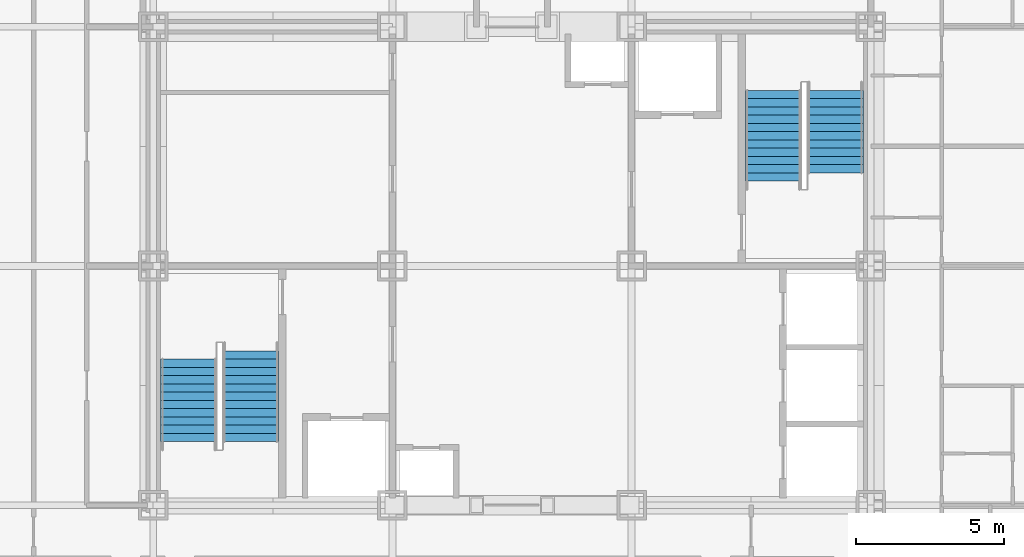
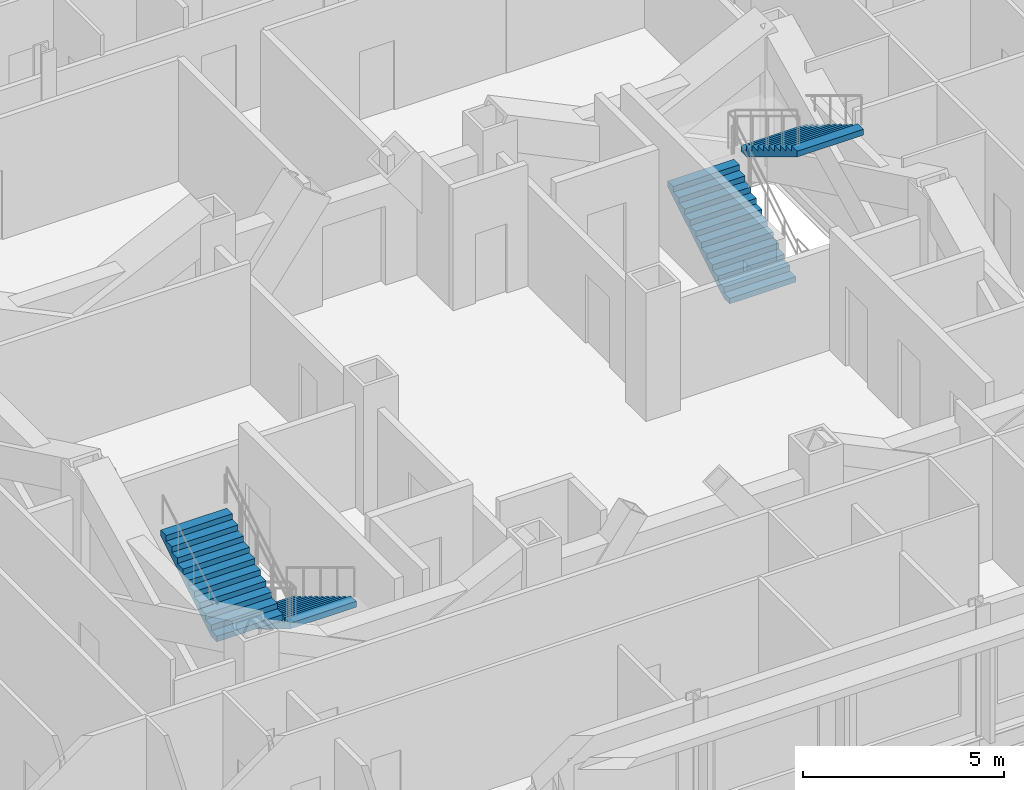
# One storey, part 14 of 15: 4 stair flights, 2 elements without a shape of their own.
"""IFC4 building model written with IfcOpenShell, lengths in metres."""

from ifc_helpers import new_model, si_unit, direction, frame, origin, place, context, subcontext, project, spatial, polygons, source, transform, mapped, material, type_object, element, aggregate, save


model = new_model("IFC4")

# Units and contexts
model_context = context("Model", 3, precision=1e-05, world=origin(), true_north=direction((0.0, 1.0)))
body_context = subcontext(model_context, "Body", "Model", "MODEL_VIEW")
ifc_project = project(units=[si_unit("LENGTHUNIT", "METRE"), si_unit("AREAUNIT", "SQUARE_METRE"), si_unit("VOLUMEUNIT", "CUBIC_METRE"), si_unit("PLANEANGLEUNIT", "RADIAN"), si_unit("MASSUNIT", "GRAM", prefix="KILO")], contexts=[model_context])

# Site, building, storey
site_placement = place(None, origin())
site = spatial("IfcSite", under=ifc_project, at=site_placement, CompositionType="ELEMENT")
building_placement = place(site_placement, origin())
building = spatial("IfcBuilding", under=site, at=building_placement, Name="Kopane Lantern Tower", CompositionType="ELEMENT")
storey_placement = place(building_placement, frame((0.0, 0.0, 289.199951171875)))
storey = spatial("IfcBuildingStorey", under=building, at=storey_placement, Name="L74", CompositionType="ELEMENT", Elevation=289.199951171875)

# Stair, stair flight
ifc_material_1 = material(Name="Steel S355JR", Category="steel")
stair_type = type_object("IfcStairType", Name="EXIT STAIR 1900 HALF TURN", PredefinedType="HALF_TURN_STAIR", material=ifc_material_1)
stair_1_placement = place(storey_placement, origin())
stair_1 = element("IfcStair", 1, at=stair_1_placement, inside=storey, type_object=stair_type, Name="Exit stair ST1 L74", PredefinedType="HALF_TURN_STAIR")
ifc_material_2 = material(Name="Steel S355JR", Category="steel")
stair_flight_type = type_object("IfcStairFlightType", Name="STAIR FLIGHT 1900 STEEL", PredefinedType="STRAIGHT", material=ifc_material_2)
shared_shape_1 = source(origin(), body_context, "Body", "Tessellation", [
    polygons([(3.080078125, 0.949951172, 1.865234375), (2.800048828, 0.949951172, 1.865234375), (2.800048828, -0.949951172, 1.865234375), (3.080078125, -0.949951172, 1.865234375), (0.289306641, 0.949951172, 0.0), (3.080078125, 0.949951172, 1.689941406), (3.080078125, -0.949951172, 1.689941406), (0.289306641, -0.949951172, 0.0), (0.0, 0.949951172, 0.0), (0.0, -0.949951172, 0.0), (0.280029297, 0.949951172, 0.169677734), (0.0, 0.949951172, 0.169677734), (0.0, -0.949951172, 0.169677734), (0.280029297, -0.949951172, 0.169677734), (0.280029297, 0.949951172, 0.339111328), (0.280029297, -0.949951172, 0.339111328), (0.560058594, 0.949951172, 0.339111328), (0.560058594, -0.949951172, 0.339111328), (0.560058594, 0.949951172, 0.508789062), (0.560058594, -0.949951172, 0.508789062), (0.840087891, 0.949951172, 0.508789062), (0.840087891, -0.949951172, 0.508789062), (0.840087891, 0.949951172, 0.678222656), (0.840087891, -0.949951172, 0.678222656), (1.120117188, 0.949951172, 0.678222656), (1.120117188, -0.949951172, 0.678222656), (1.120117188, 0.949951172, 0.847900391), (1.120117188, -0.949951172, 0.847900391), (1.399902344, 0.949951172, 0.847900391), (1.399902344, -0.949951172, 0.847900391), (1.399902344, 0.949951172, 1.017333984), (1.399902344, -0.949951172, 1.017333984), (1.679931641, 0.949951172, 1.017333984), (1.679931641, -0.949951172, 1.017333984), (1.679931641, 0.949951172, 1.187011719), (1.679931641, -0.949951172, 1.187011719), (1.959960938, 0.949951172, 1.187011719), (1.959960938, -0.949951172, 1.187011719), (1.959960938, 0.949951172, 1.356445312), (1.959960938, -0.949951172, 1.356445312), (2.239990234, 0.949951172, 1.356445312), (2.239990234, -0.949951172, 1.356445312), (2.239990234, 0.949951172, 1.526123047), (2.239990234, -0.949951172, 1.526123047), (2.520019531, 0.949951172, 1.526123047), (2.520019531, -0.949951172, 1.526123047), (2.520019531, 0.949951172, 1.695556641), (2.520019531, -0.949951172, 1.695556641), (2.800048828, 0.949951172, 1.695556641), (2.800048828, -0.949951172, 1.695556641), (0.0, 0.0, 0.004585885), (0.0, 0.0, 0.009171769), (0.0, 0.0, 0.013757654), (0.0, 0.0, 0.018343539), (0.0, 0.0, 0.022929424), (0.0, 0.0, 0.027515308), (0.0, 0.0, 0.032101193), (0.0, 0.0, 0.036687078), (0.0, 0.0, 0.041272962), (0.0, 0.0, 0.045858847), (0.0, 0.0, 0.050444732), (0.0, 0.0, 0.055030617), (0.0, 0.0, 0.059616501), (0.0, 0.0, 0.064202386), (0.0, 0.0, 0.068788271), (0.0, 0.0, 0.073374155), (0.0, 0.0, 0.07796004), (0.0, 0.0, 0.082545925), (0.0, 0.0, 0.08713181), (0.0, 0.0, 0.091717694), (0.0, 0.0, 0.096303579), (0.0, 0.0, 0.100889464), (0.0, 0.0, 0.105475348), (0.0, 0.0, 0.110061233), (0.0, 0.0, 0.114647118), (0.0, 0.0, 0.119233003), (0.0, 0.0, 0.123818887), (0.0, 0.0, 0.128404772), (0.0, 0.0, 0.132990657), (0.0, 0.0, 0.137576541), (0.0, 0.0, 0.142162426), (0.0, 0.0, 0.146748311), (0.0, 0.0, 0.151334196), (0.0, 0.0, 0.15592008), (0.0, 0.0, 0.160505965), (0.0, 0.0, 0.16509185), (3.080078125, 0.0, 1.694679054), (3.080078125, 0.0, 1.699416702), (3.080078125, 0.0, 1.70415435), (3.080078125, 0.0, 1.708891997), (3.080078125, 0.0, 1.713629645), (3.080078125, 0.0, 1.718367293), (3.080078125, 0.0, 1.723104941), (3.080078125, 0.0, 1.727842589), (3.080078125, 0.0, 1.732580236), (3.080078125, 0.0, 1.737317884), (3.080078125, 0.0, 1.742055532), (3.080078125, 0.0, 1.74679318), (3.080078125, 0.0, 1.751530828), (3.080078125, 0.0, 1.756268476), (3.080078125, 0.0, 1.761006123), (3.080078125, 0.0, 1.765743771), (3.080078125, 0.0, 1.770481419), (3.080078125, 0.0, 1.775219067), (3.080078125, 0.0, 1.779956715), (3.080078125, 0.0, 1.784694362), (3.080078125, 0.0, 1.78943201), (3.080078125, 0.0, 1.794169658), (3.080078125, 0.0, 1.798907306), (3.080078125, 0.0, 1.803644954), (3.080078125, 0.0, 1.808382601), (3.080078125, 0.0, 1.813120249), (3.080078125, 0.0, 1.817857897), (3.080078125, 0.0, 1.822595545), (3.080078125, 0.0, 1.827333193), (3.080078125, 0.0, 1.83207084), (3.080078125, 0.0, 1.836808488), (3.080078125, 0.0, 1.841546136), (3.080078125, 0.0, 1.846283784), (3.080078125, 0.0, 1.851021432), (3.080078125, 0.0, 1.855759079), (3.080078125, 0.0, 1.860496727)], [[[1, 2, 3]], [[1, 3, 4]], [[5, 6, 7]], [[5, 7, 8]], [[9, 5, 8]], [[9, 8, 10]], [[11, 12, 13]], [[11, 13, 14]], [[15, 11, 14]], [[15, 14, 16]], [[17, 15, 16]], [[17, 16, 18]], [[19, 17, 18]], [[19, 18, 20]], [[21, 19, 20]], [[21, 20, 22]], [[23, 21, 22]], [[23, 22, 24]], [[25, 23, 24]], [[25, 24, 26]], [[27, 25, 26]], [[27, 26, 28]], [[29, 27, 28]], [[29, 28, 30]], [[31, 29, 30]], [[31, 30, 32]], [[33, 31, 32]], [[33, 32, 34]], [[35, 33, 34]], [[35, 34, 36]], [[37, 35, 36]], [[37, 36, 38]], [[39, 37, 38]], [[39, 38, 40]], [[41, 39, 40]], [[41, 40, 42]], [[43, 41, 42]], [[43, 42, 44]], [[45, 43, 44]], [[45, 44, 46]], [[47, 45, 46]], [[47, 46, 48]], [[49, 47, 48]], [[49, 48, 50]], [[2, 49, 50]], [[2, 50, 3]], [[49, 1, 6]], [[45, 49, 6]], [[2, 1, 49]], [[41, 45, 6]], [[47, 49, 45]], [[37, 41, 6]], [[43, 45, 41]], [[39, 41, 37]], [[35, 37, 33]], [[31, 33, 29]], [[5, 21, 25]], [[27, 29, 25]], [[17, 21, 5]], [[23, 25, 21]], [[11, 17, 5]], [[19, 21, 17]], [[9, 11, 5]], [[15, 17, 11]], [[12, 11, 9]], [[6, 5, 25]], [[6, 25, 29]], [[6, 29, 33]], [[6, 33, 37]], [[7, 4, 50]], [[7, 50, 46]], [[50, 4, 3]], [[7, 46, 42]], [[46, 50, 48]], [[7, 42, 38]], [[42, 46, 44]], [[38, 42, 40]], [[34, 38, 36]], [[30, 34, 32]], [[26, 22, 8]], [[26, 30, 28]], [[8, 22, 18]], [[22, 26, 24]], [[8, 18, 14]], [[18, 22, 20]], [[8, 14, 10]], [[14, 18, 16]], [[10, 14, 13]], [[26, 8, 7]], [[30, 26, 7]], [[34, 30, 7]], [[38, 34, 7]], [[10, 51, 9]], [[10, 52, 51]], [[9, 51, 52]], [[10, 53, 52]], [[9, 52, 53]], [[10, 54, 53]], [[9, 53, 54]], [[10, 55, 54]], [[9, 54, 55]], [[10, 56, 55]], [[9, 55, 56]], [[10, 57, 56]], [[9, 56, 57]], [[10, 58, 57]], [[9, 57, 58]], [[10, 59, 58]], [[9, 58, 59]], [[10, 60, 59]], [[9, 59, 60]], [[10, 61, 60]], [[9, 60, 61]], [[10, 62, 61]], [[9, 61, 62]], [[10, 63, 62]], [[9, 62, 63]], [[10, 64, 63]], [[9, 63, 64]], [[10, 65, 64]], [[9, 64, 65]], [[10, 66, 65]], [[9, 65, 66]], [[10, 67, 66]], [[9, 66, 67]], [[10, 68, 67]], [[9, 67, 68]], [[10, 69, 68]], [[9, 68, 69]], [[10, 70, 69]], [[9, 69, 70]], [[10, 71, 70]], [[9, 70, 71]], [[10, 72, 71]], [[9, 71, 72]], [[10, 73, 72]], [[9, 72, 73]], [[10, 74, 73]], [[9, 73, 74]], [[10, 75, 74]], [[9, 74, 75]], [[10, 76, 75]], [[9, 75, 76]], [[10, 77, 76]], [[9, 76, 77]], [[10, 78, 77]], [[9, 77, 78]], [[10, 79, 78]], [[9, 78, 79]], [[10, 80, 79]], [[9, 79, 80]], [[10, 81, 80]], [[9, 80, 81]], [[10, 82, 81]], [[9, 81, 82]], [[10, 83, 82]], [[9, 82, 83]], [[10, 84, 83]], [[9, 83, 84]], [[10, 85, 84]], [[9, 84, 85]], [[10, 86, 85]], [[9, 85, 86]], [[10, 13, 86]], [[86, 13, 12]], [[9, 86, 12]], [[7, 6, 87]], [[7, 87, 88]], [[6, 88, 87]], [[7, 88, 89]], [[6, 89, 88]], [[7, 89, 90]], [[6, 90, 89]], [[7, 90, 91]], [[6, 91, 90]], [[7, 91, 92]], [[6, 92, 91]], [[7, 92, 93]], [[6, 93, 92]], [[7, 93, 94]], [[6, 94, 93]], [[7, 94, 95]], [[6, 95, 94]], [[7, 95, 96]], [[6, 96, 95]], [[7, 96, 97]], [[6, 97, 96]], [[7, 97, 98]], [[6, 98, 97]], [[7, 98, 99]], [[6, 99, 98]], [[7, 99, 100]], [[6, 100, 99]], [[7, 100, 101]], [[6, 101, 100]], [[7, 101, 102]], [[6, 102, 101]], [[7, 102, 103]], [[6, 103, 102]], [[7, 103, 104]], [[6, 104, 103]], [[7, 104, 105]], [[6, 105, 104]], [[7, 105, 106]], [[6, 106, 105]], [[7, 106, 107]], [[6, 107, 106]], [[7, 107, 108]], [[6, 108, 107]], [[7, 108, 109]], [[6, 109, 108]], [[7, 109, 110]], [[6, 110, 109]], [[7, 110, 111]], [[6, 111, 110]], [[7, 111, 112]], [[6, 112, 111]], [[7, 112, 113]], [[6, 113, 112]], [[7, 113, 114]], [[6, 114, 113]], [[7, 114, 115]], [[6, 115, 114]], [[7, 115, 116]], [[6, 116, 115]], [[7, 116, 117]], [[6, 117, 116]], [[7, 117, 118]], [[6, 118, 117]], [[7, 118, 119]], [[6, 119, 118]], [[7, 119, 120]], [[6, 120, 119]], [[7, 120, 121]], [[6, 121, 120]], [[7, 121, 122]], [[6, 122, 121]], [[7, 122, 4]], [[122, 1, 4]], [[6, 1, 122]]], closed=True),
])
stair_flight_1_placement = place(storey_placement, frame((19.5, 29.530029296875, 0.0), z_axis=(0.0, 0.0, 1.0), x_axis=(0.0, -1.0, 0.0)))
stair_flight_1 = element("IfcStairFlight", 2, at=stair_flight_1_placement, type_object=stair_flight_type, Name="ST1 flight 1", NumberOfRisers=12, NumberOfTreads=11, PredefinedType="STRAIGHT", RiserHeight=0.169565217, TreadLength=0.28, context=body_context, shape_type="MappedRepresentation", body=[
    mapped(shared_shape_1, transform((0.0, 0.0, 0.0))),
])

stair_2_placement = place(storey_placement, origin())
stair_2 = element("IfcStair", 3, at=stair_2_placement, inside=storey, type_object=stair_type, Name="Exit stair ST2 L74", PredefinedType="HALF_TURN_STAIR")
stair_flight_2_placement = place(storey_placement, frame((37.199951171875, 35.27001953125, 0.0), z_axis=(0.0, 0.0, 1.0), x_axis=(0.0, 1.0, 0.0)))
stair_flight_2 = element("IfcStairFlight", 4, at=stair_flight_2_placement, type_object=stair_flight_type, Name="ST2 flight 1", NumberOfRisers=12, NumberOfTreads=11, PredefinedType="STRAIGHT", RiserHeight=0.169565217, TreadLength=0.28, context=body_context, shape_type="MappedRepresentation", body=[
    mapped(shared_shape_1, transform((0.0, 0.0, 0.0))),
])

# Stair flight
shared_shape_2 = source(origin(), body_context, "Body", "Tessellation", [
    polygons([(2.800048828, 0.949951172, 1.695556641), (2.520019531, 0.949951172, 1.695556641), (2.520019531, -0.949951172, 1.695556641), (2.800048828, -0.949951172, 1.695556641), (0.289306641, 0.949951172, 0.0), (2.800048828, 0.949951172, 1.520507812), (2.800048828, -0.949951172, 1.520507812), (0.289306641, -0.949951172, 0.0), (0.0, 0.949951172, 0.0), (0.0, -0.949951172, 0.0), (0.280029297, 0.949951172, 0.169677734), (0.0, 0.949951172, 0.169677734), (0.0, -0.949951172, 0.169677734), (0.280029297, -0.949951172, 0.169677734), (0.280029297, 0.949951172, 0.339111328), (0.280029297, -0.949951172, 0.339111328), (0.560058594, 0.949951172, 0.339111328), (0.560058594, -0.949951172, 0.339111328), (0.560058594, 0.949951172, 0.508789062), (0.560058594, -0.949951172, 0.508789062), (0.840087891, 0.949951172, 0.508789062), (0.840087891, -0.949951172, 0.508789062), (0.840087891, 0.949951172, 0.678222656), (0.840087891, -0.949951172, 0.678222656), (1.120117188, 0.949951172, 0.678222656), (1.120117188, -0.949951172, 0.678222656), (1.120117188, 0.949951172, 0.847900391), (1.120117188, -0.949951172, 0.847900391), (1.399902344, 0.949951172, 0.847900391), (1.399902344, -0.949951172, 0.847900391), (1.399902344, 0.949951172, 1.017333984), (1.399902344, -0.949951172, 1.017333984), (1.679931641, 0.949951172, 1.017333984), (1.679931641, -0.949951172, 1.017333984), (1.679931641, 0.949951172, 1.187011719), (1.679931641, -0.949951172, 1.187011719), (1.959960938, 0.949951172, 1.187011719), (1.959960938, -0.949951172, 1.187011719), (1.959960938, 0.949951172, 1.356445312), (1.959960938, -0.949951172, 1.356445312), (2.239990234, 0.949951172, 1.356445312), (2.239990234, -0.949951172, 1.356445312), (2.239990234, 0.949951172, 1.526123047), (2.239990234, -0.949951172, 1.526123047), (2.520019531, 0.949951172, 1.526123047), (2.520019531, -0.949951172, 1.526123047), (0.0, 0.0, 0.004585885), (0.0, 0.0, 0.009171769), (0.0, 0.0, 0.013757654), (0.0, 0.0, 0.018343539), (0.0, 0.0, 0.022929424), (0.0, 0.0, 0.027515308), (0.0, 0.0, 0.032101193), (0.0, 0.0, 0.036687078), (0.0, 0.0, 0.041272962), (0.0, 0.0, 0.045858847), (0.0, 0.0, 0.050444732), (0.0, 0.0, 0.055030617), (0.0, 0.0, 0.059616501), (0.0, 0.0, 0.064202386), (0.0, 0.0, 0.068788271), (0.0, 0.0, 0.073374155), (0.0, 0.0, 0.07796004), (0.0, 0.0, 0.082545925), (0.0, 0.0, 0.08713181), (0.0, 0.0, 0.091717694), (0.0, 0.0, 0.096303579), (0.0, 0.0, 0.100889464), (0.0, 0.0, 0.105475348), (0.0, 0.0, 0.110061233), (0.0, 0.0, 0.114647118), (0.0, 0.0, 0.119233003), (0.0, 0.0, 0.123818887), (0.0, 0.0, 0.128404772), (0.0, 0.0, 0.132990657), (0.0, 0.0, 0.137576541), (0.0, 0.0, 0.142162426), (0.0, 0.0, 0.146748311), (0.0, 0.0, 0.151334196), (0.0, 0.0, 0.15592008), (0.0, 0.0, 0.160505965), (0.0, 0.0, 0.16509185), (2.800048828, 0.0, 1.525238862), (2.800048828, 0.0, 1.529969911), (2.800048828, 0.0, 1.534700961), (2.800048828, 0.0, 1.53943201), (2.800048828, 0.0, 1.54416306), (2.800048828, 0.0, 1.548894109), (2.800048828, 0.0, 1.553625158), (2.800048828, 0.0, 1.558356208), (2.800048828, 0.0, 1.563087257), (2.800048828, 0.0, 1.567818307), (2.800048828, 0.0, 1.572549356), (2.800048828, 0.0, 1.577280405), (2.800048828, 0.0, 1.582011455), (2.800048828, 0.0, 1.586742504), (2.800048828, 0.0, 1.591473554), (2.800048828, 0.0, 1.596204603), (2.800048828, 0.0, 1.600935652), (2.800048828, 0.0, 1.605666702), (2.800048828, 0.0, 1.610397751), (2.800048828, 0.0, 1.615128801), (2.800048828, 0.0, 1.61985985), (2.800048828, 0.0, 1.624590899), (2.800048828, 0.0, 1.629321949), (2.800048828, 0.0, 1.634052998), (2.800048828, 0.0, 1.638784048), (2.800048828, 0.0, 1.643515097), (2.800048828, 0.0, 1.648246147), (2.800048828, 0.0, 1.652977196), (2.800048828, 0.0, 1.657708245), (2.800048828, 0.0, 1.662439295), (2.800048828, 0.0, 1.667170344), (2.800048828, 0.0, 1.671901394), (2.800048828, 0.0, 1.676632443), (2.800048828, 0.0, 1.681363492), (2.800048828, 0.0, 1.686094542), (2.800048828, 0.0, 1.690825591)], [[[1, 2, 3]], [[1, 3, 4]], [[5, 6, 7]], [[5, 7, 8]], [[9, 5, 8]], [[9, 8, 10]], [[11, 12, 13]], [[11, 13, 14]], [[15, 11, 14]], [[15, 14, 16]], [[17, 15, 16]], [[17, 16, 18]], [[19, 17, 18]], [[19, 18, 20]], [[21, 19, 20]], [[21, 20, 22]], [[23, 21, 22]], [[23, 22, 24]], [[25, 23, 24]], [[25, 24, 26]], [[27, 25, 26]], [[27, 26, 28]], [[29, 27, 28]], [[29, 28, 30]], [[31, 29, 30]], [[31, 30, 32]], [[33, 31, 32]], [[33, 32, 34]], [[35, 33, 34]], [[35, 34, 36]], [[37, 35, 36]], [[37, 36, 38]], [[39, 37, 38]], [[39, 38, 40]], [[41, 39, 40]], [[41, 40, 42]], [[43, 41, 42]], [[43, 42, 44]], [[45, 43, 44]], [[45, 44, 46]], [[2, 45, 46]], [[2, 46, 3]], [[45, 1, 6]], [[41, 45, 6]], [[2, 1, 45]], [[37, 41, 6]], [[43, 45, 41]], [[39, 41, 37]], [[35, 37, 33]], [[31, 33, 29]], [[5, 21, 25]], [[27, 29, 25]], [[17, 21, 5]], [[23, 25, 21]], [[11, 17, 5]], [[19, 21, 17]], [[9, 11, 5]], [[15, 17, 11]], [[12, 11, 9]], [[6, 5, 25]], [[6, 25, 29]], [[6, 29, 33]], [[6, 33, 37]], [[7, 4, 46]], [[7, 46, 42]], [[46, 4, 3]], [[7, 42, 38]], [[42, 46, 44]], [[38, 42, 40]], [[34, 38, 36]], [[30, 34, 32]], [[26, 22, 8]], [[26, 30, 28]], [[8, 22, 18]], [[22, 26, 24]], [[8, 18, 14]], [[18, 22, 20]], [[8, 14, 10]], [[14, 18, 16]], [[10, 14, 13]], [[26, 8, 7]], [[30, 26, 7]], [[34, 30, 7]], [[38, 34, 7]], [[10, 47, 9]], [[10, 48, 47]], [[9, 47, 48]], [[10, 49, 48]], [[9, 48, 49]], [[10, 50, 49]], [[9, 49, 50]], [[10, 51, 50]], [[9, 50, 51]], [[10, 52, 51]], [[9, 51, 52]], [[10, 53, 52]], [[9, 52, 53]], [[10, 54, 53]], [[9, 53, 54]], [[10, 55, 54]], [[9, 54, 55]], [[10, 56, 55]], [[9, 55, 56]], [[10, 57, 56]], [[9, 56, 57]], [[10, 58, 57]], [[9, 57, 58]], [[10, 59, 58]], [[9, 58, 59]], [[10, 60, 59]], [[9, 59, 60]], [[10, 61, 60]], [[9, 60, 61]], [[10, 62, 61]], [[9, 61, 62]], [[10, 63, 62]], [[9, 62, 63]], [[10, 64, 63]], [[9, 63, 64]], [[10, 65, 64]], [[9, 64, 65]], [[10, 66, 65]], [[9, 65, 66]], [[10, 67, 66]], [[9, 66, 67]], [[10, 68, 67]], [[9, 67, 68]], [[10, 69, 68]], [[9, 68, 69]], [[10, 70, 69]], [[9, 69, 70]], [[10, 71, 70]], [[9, 70, 71]], [[10, 72, 71]], [[9, 71, 72]], [[10, 73, 72]], [[9, 72, 73]], [[10, 74, 73]], [[9, 73, 74]], [[10, 75, 74]], [[9, 74, 75]], [[10, 76, 75]], [[9, 75, 76]], [[10, 77, 76]], [[9, 76, 77]], [[10, 78, 77]], [[9, 77, 78]], [[10, 79, 78]], [[9, 78, 79]], [[10, 80, 79]], [[9, 79, 80]], [[10, 81, 80]], [[9, 80, 81]], [[10, 82, 81]], [[9, 81, 82]], [[10, 13, 82]], [[82, 13, 12]], [[9, 82, 12]], [[7, 6, 83]], [[7, 83, 84]], [[6, 84, 83]], [[7, 84, 85]], [[6, 85, 84]], [[7, 85, 86]], [[6, 86, 85]], [[7, 86, 87]], [[6, 87, 86]], [[7, 87, 88]], [[6, 88, 87]], [[7, 88, 89]], [[6, 89, 88]], [[7, 89, 90]], [[6, 90, 89]], [[7, 90, 91]], [[6, 91, 90]], [[7, 91, 92]], [[6, 92, 91]], [[7, 92, 93]], [[6, 93, 92]], [[7, 93, 94]], [[6, 94, 93]], [[7, 94, 95]], [[6, 95, 94]], [[7, 95, 96]], [[6, 96, 95]], [[7, 96, 97]], [[6, 97, 96]], [[7, 97, 98]], [[6, 98, 97]], [[7, 98, 99]], [[6, 99, 98]], [[7, 99, 100]], [[6, 100, 99]], [[7, 100, 101]], [[6, 101, 100]], [[7, 101, 102]], [[6, 102, 101]], [[7, 102, 103]], [[6, 103, 102]], [[7, 103, 104]], [[6, 104, 103]], [[7, 104, 105]], [[6, 105, 104]], [[7, 105, 106]], [[6, 106, 105]], [[7, 106, 107]], [[6, 107, 106]], [[7, 107, 108]], [[6, 108, 107]], [[7, 108, 109]], [[6, 109, 108]], [[7, 109, 110]], [[6, 110, 109]], [[7, 110, 111]], [[6, 111, 110]], [[7, 111, 112]], [[6, 112, 111]], [[7, 112, 113]], [[6, 113, 112]], [[7, 113, 114]], [[6, 114, 113]], [[7, 114, 115]], [[6, 115, 114]], [[7, 115, 116]], [[6, 116, 115]], [[7, 116, 117]], [[6, 117, 116]], [[7, 117, 118]], [[6, 118, 117]], [[7, 118, 4]], [[118, 1, 4]], [[6, 1, 118]]], closed=True),
])
stair_flight_3_placement = place(storey_placement, frame((17.39990234375, 26.449951171875, 2.034912109375), z_axis=(0.0, 0.0, 1.0), x_axis=(0.0, 1.0, 0.0)))
stair_flight_3 = element("IfcStairFlight", 5, at=stair_flight_3_placement, type_object=stair_flight_type, Name="ST1 flight 2", NumberOfRisers=11, NumberOfTreads=10, PredefinedType="STRAIGHT", RiserHeight=0.169565217, TreadLength=0.28, context=body_context, shape_type="MappedRepresentation", body=[
    mapped(shared_shape_2, transform((0.0, 0.0, 0.0))),
])

aggregate(stair_1, [stair_flight_1, stair_flight_3])

stair_flight_4_placement = place(storey_placement, frame((39.300048828125, 38.35009765625, 2.034912109375), z_axis=(0.0, 0.0, 1.0), x_axis=(0.0, -1.0, 0.0)))
stair_flight_4 = element("IfcStairFlight", 6, at=stair_flight_4_placement, type_object=stair_flight_type, Name="ST2 flight 2", NumberOfRisers=11, NumberOfTreads=10, PredefinedType="STRAIGHT", RiserHeight=0.169565217, TreadLength=0.28, context=body_context, shape_type="MappedRepresentation", body=[
    mapped(shared_shape_2, transform((0.0, 0.0, 0.0))),
])

aggregate(stair_2, [stair_flight_2, stair_flight_4])

save(model, "model.ifc")
